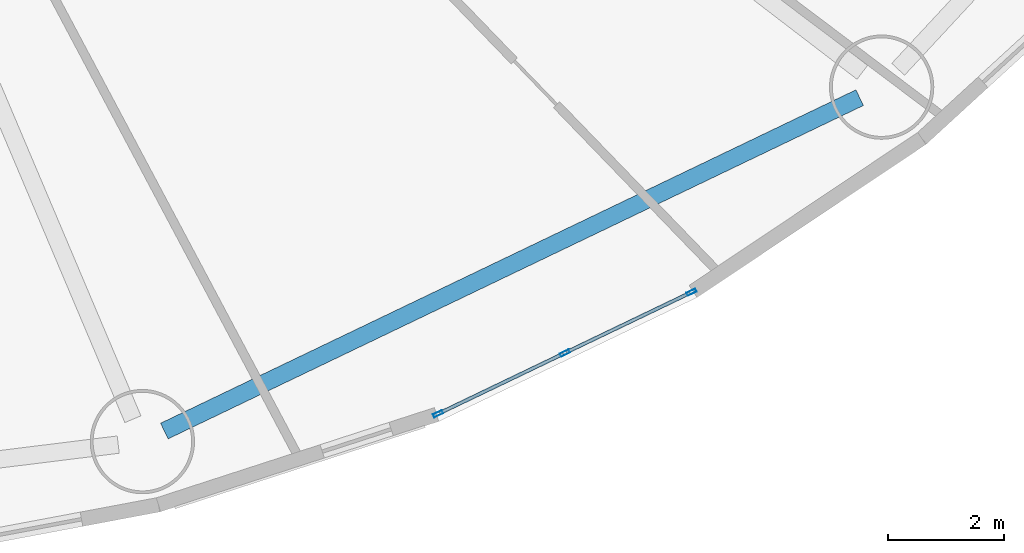
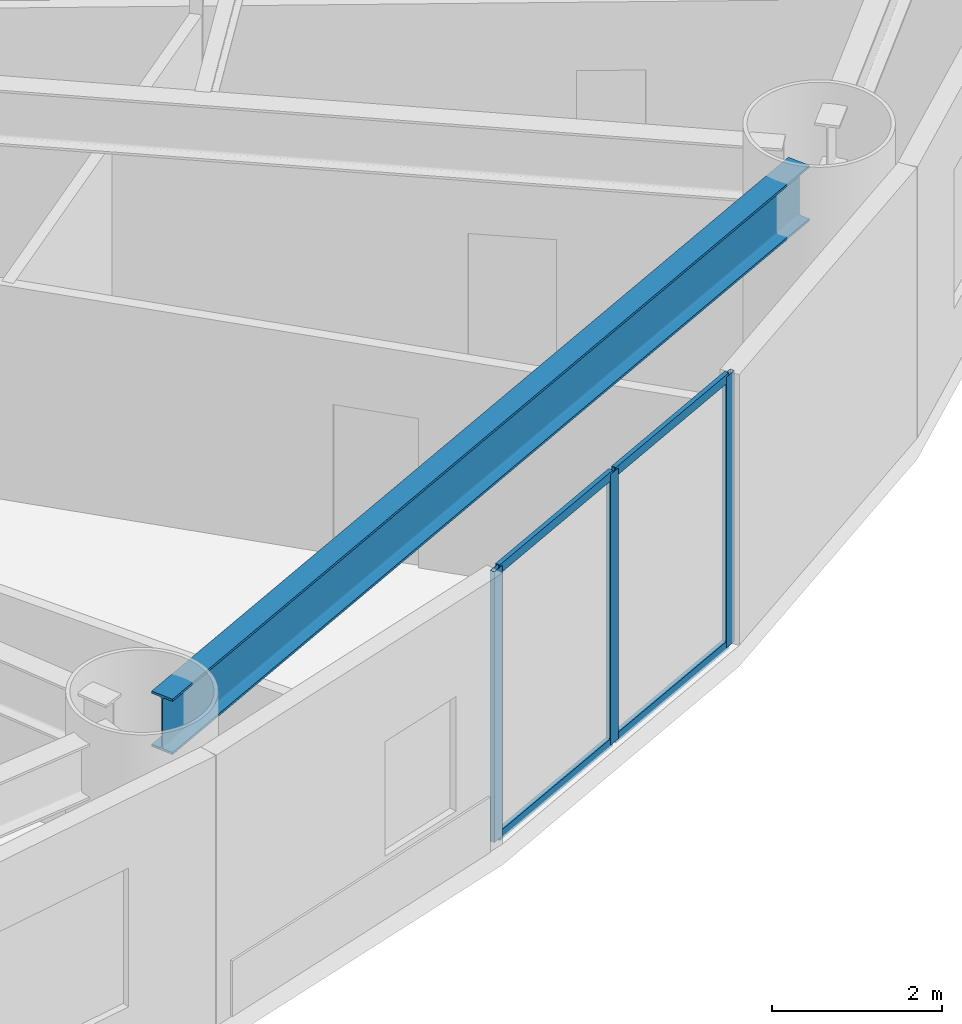
# One storey, part 6 of 27: 7 members, 1 beam, 1 element without a shape of its own.
"""IFC4 building model written with IfcOpenShell, lengths in metres."""

from ifc_helpers import new_model, si_unit, direction, frame, origin, origin_2d, place, context, subcontext, project, spatial, hollow_rectangle, i_section, extrude, source, transform, mapped, material, layer, layer_set, material_profile, profile_set, type_object, element, aggregate, save


model = new_model("IFC4")

# Units and contexts
model_context = context("Model", 3, precision=1e-05, world=origin(), true_north=direction((0.0, 1.0)))
body_context = subcontext(model_context, "Body", "Model", "MODEL_VIEW")
ifc_project = project(units=[si_unit("LENGTHUNIT", "METRE"), si_unit("AREAUNIT", "SQUARE_METRE"), si_unit("VOLUMEUNIT", "CUBIC_METRE"), si_unit("PLANEANGLEUNIT", "RADIAN"), si_unit("MASSUNIT", "GRAM", prefix="KILO")], contexts=[model_context])

# Site, building, storey
site_placement = place(None, origin())
site = spatial("IfcSite", under=ifc_project, at=site_placement, CompositionType="ELEMENT")
building_placement = place(site_placement, origin())
building = spatial("IfcBuilding", under=site, at=building_placement, Name="Linh Dai School and Residence Tower", CompositionType="ELEMENT")
storey_placement = place(building_placement, frame((0.0, 0.0, 14.39990234375)))
storey = spatial("IfcBuildingStorey", under=building, at=storey_placement, Name="L03", CompositionType="ELEMENT", Elevation=14.39990234375)

# Beam
ifc_material_1 = material(Name="Structural Steel S355JR", Category="steel")
ifc_material_profile_1 = material_profile(ifc_material_1, i_section(OverallWidth=0.300048828125, OverallDepth=0.800048828125, WebThickness=0.017578125, FlangeThickness=0.032958984375, FilletRadius=0.030029296875, at=origin_2d()), Name="HEB 800")
ifc_profile_set_1 = profile_set([ifc_material_profile_1], Name="Structural Steel S355JR")
beam_type = type_object("IfcBeamType", Name="BM-RG8", PredefinedType="BEAM", material=ifc_profile_set_1)
beam_placement = place(storey_placement, frame((46.329833984375, 3.66552734375, 3.5), z_axis=(0.901703667424, 0.432354595388, 0.0), x_axis=(-0.432354595388, 0.901703667424, 0.0)))
element("IfcBeam", 1, at=beam_placement, inside=storey, type_object=beam_type, Name="L03 Perimeter Elliptical Ring Beam 14", PredefinedType="BEAM", context=body_context, shape_type="SweptSolid", body=[
    extrude(i_section(OverallWidth=0.300048828125, OverallDepth=0.800048828125, WebThickness=0.017578125, FlangeThickness=0.032958984375, FilletRadius=0.030029296875, at=origin_2d()), origin(), (0.0, 0.0, 1.0), 13.304443359375),
])

# Curtain wall, members
ifc_material_2 = material(Name="Aluminium Anodised Curtain Wall", Category="aluminium")
ifc_layer = layer(ifc_material_2, 0.169921875)
ifc_layer_set = layer_set([ifc_layer], Name="Aluminium Anodised Curtain Wall")
curtain_wall_type = type_object("IfcCurtainWallType", Name="CW-SYS-2", PredefinedType="USERDEFINED", material=ifc_layer_set)
curtain_wall_placement = place(storey_placement, origin())
curtain_wall = element("IfcCurtainWall", 2, at=curtain_wall_placement, inside=storey, type_object=curtain_wall_type, Name="L03 CW2 Curtain Wall 34", ObjectType="UNITISED CURTAIN WALL", PredefinedType="USERDEFINED")
ifc_material_3 = material(Name="Aluminium Alloy 6063-T6", Category="aluminium")
ifc_material_profile_2 = material_profile(ifc_material_3, hollow_rectangle(XDim=0.06005859375, YDim=0.1298828125, WallThickness=0.00390625, at=origin_2d()), Name="RHS 130x60x4")
ifc_profile_set_2 = profile_set([ifc_material_profile_2], Name="Aluminium Alloy 6063-T6")
member_type_1 = type_object("IfcMemberType", Name="CW-SYS-2-TRN", PredefinedType="USERDEFINED", material=ifc_profile_set_2)
shared_shape_1 = source(origin(), body_context, "Body", "SweptSolid", [
    extrude(hollow_rectangle(XDim=0.06005859375, YDim=0.1298828125, WallThickness=0.00390625, at=origin_2d()), origin(), (0.0, 0.0, 1.0), 2.364990234375),
])
member_1_placement = place(storey_placement, frame((55.3984375, 6.04833984375, 0.030029296875), z_axis=(-0.90155688486, -0.432660586791, 0.0), x_axis=(0.432660586791, -0.90155688486, 0.0)))
member_1 = element("IfcMember", 3, at=member_1_placement, type_object=member_type_1, Name="CW2 transom 1.1", ObjectType="TRANSOM", PredefinedType="USERDEFINED", context=body_context, shape_type="MappedRepresentation", body=[
    mapped(shared_shape_1, transform((0.0, 0.0, 0.0), x_axis=(1.0, 0.0, 0.0), y_axis=(0.0, 1.0, 0.0), z_axis=(0.0, 0.0, 1.0), scale=1.0)),
])
member_2_placement = place(storey_placement, frame((55.3984375, 6.04833984375, 3.8701171875), z_axis=(-0.90155688486, -0.432660586791, 0.0), x_axis=(0.432660586791, -0.90155688486, 0.0)))
member_2 = element("IfcMember", 4, at=member_2_placement, type_object=member_type_1, Name="CW2 transom 1.2", ObjectType="TRANSOM", PredefinedType="USERDEFINED", context=body_context, shape_type="MappedRepresentation", body=[
    mapped(shared_shape_1, transform((0.0, 0.0, 0.0), x_axis=(1.0, 0.0, 0.0), y_axis=(0.0, 1.0, 0.0), z_axis=(0.0, 0.0, 1.0), scale=1.0)),
])
member_3_placement = place(storey_placement, frame((53.21240234375, 4.9990234375, 0.030029296875), z_axis=(-0.90155688486, -0.432660586791, 0.0), x_axis=(0.432660586791, -0.90155688486, 0.0)))
member_3 = element("IfcMember", 5, at=member_3_placement, type_object=member_type_1, Name="CW2 transom 2.1", ObjectType="TRANSOM", PredefinedType="USERDEFINED", context=body_context, shape_type="MappedRepresentation", body=[
    mapped(shared_shape_1, transform((0.0, 0.0, 0.0), x_axis=(1.0, 0.0, 0.0), y_axis=(0.0, 1.0, 0.0), z_axis=(0.0, 0.0, 1.0), scale=1.0)),
])
member_4_placement = place(storey_placement, frame((53.21240234375, 4.9990234375, 3.8701171875), z_axis=(-0.90155688486, -0.432660586791, 0.0), x_axis=(0.432660586791, -0.90155688486, 0.0)))
member_4 = element("IfcMember", 6, at=member_4_placement, type_object=member_type_1, Name="CW2 transom 2.2", ObjectType="TRANSOM", PredefinedType="USERDEFINED", context=body_context, shape_type="MappedRepresentation", body=[
    mapped(shared_shape_1, transform((0.0, 0.0, 0.0), x_axis=(1.0, 0.0, 0.0), y_axis=(0.0, 1.0, 0.0), z_axis=(0.0, 0.0, 1.0), scale=1.0)),
])
ifc_material_profile_3 = material_profile(ifc_material_3, hollow_rectangle(XDim=0.06005859375, YDim=0.169921875, WallThickness=0.00390625, at=origin_2d()), Name="RHS 170x60x4")
ifc_profile_set_3 = profile_set([ifc_material_profile_3], Name="Aluminium Alloy 6063-T6")
member_type_2 = type_object("IfcMemberType", Name="CW-SYS-2-MUL", PredefinedType="MULLION", material=ifc_profile_set_3)
shared_shape_2 = source(origin(), body_context, "Body", "SweptSolid", [
    extrude(hollow_rectangle(XDim=0.06005859375, YDim=0.169921875, WallThickness=0.00390625, at=origin_2d()), origin(), (0.0, 0.0, 1.0), 3.900146484375),
])
member_5_placement = place(storey_placement, frame((55.425537109375, 6.061279296875, 0.0), z_axis=(0.0, 0.0, 1.0), x_axis=(0.432657370259, -0.901558428479, 0.0)))
member_5 = element("IfcMember", 7, at=member_5_placement, type_object=member_type_2, Name="CW2 mullion 1", PredefinedType="MULLION", context=body_context, shape_type="MappedRepresentation", body=[
    mapped(shared_shape_2, transform((0.0, 0.0, 0.0), x_axis=(1.0, 0.0, 0.0), y_axis=(0.0, 1.0, 0.0), z_axis=(0.0, 0.0, 1.0), scale=1.0)),
])
member_6_placement = place(storey_placement, frame((53.239501953125, 5.011962890625, 0.0), z_axis=(0.0, 0.0, 1.0), x_axis=(0.432657370259, -0.901558428479, 0.0)))
member_6 = element("IfcMember", 8, at=member_6_placement, type_object=member_type_2, Name="CW2 mullion 2", PredefinedType="MULLION", context=body_context, shape_type="MappedRepresentation", body=[
    mapped(shared_shape_2, transform((0.0, 0.0, 0.0), x_axis=(1.0, 0.0, 0.0), y_axis=(0.0, 1.0, 0.0), z_axis=(0.0, 0.0, 1.0), scale=1.0)),
])
member_7_placement = place(storey_placement, frame((51.05322265625, 3.962890625, 0.0), z_axis=(0.0, 0.0, 1.0), x_axis=(0.432657370259, -0.901558428479, 0.0)))
member_7 = element("IfcMember", 9, at=member_7_placement, type_object=member_type_2, Name="CW2 mullion 3", PredefinedType="MULLION", context=body_context, shape_type="MappedRepresentation", body=[
    mapped(shared_shape_2, transform((0.0, 0.0, 0.0), x_axis=(1.0, 0.0, 0.0), y_axis=(0.0, 1.0, 0.0), z_axis=(0.0, 0.0, 1.0), scale=1.0)),
])
aggregate(curtain_wall, [member_5, member_6, member_7, member_1, member_2, member_3, member_4])

save(model, "model.ifc")
